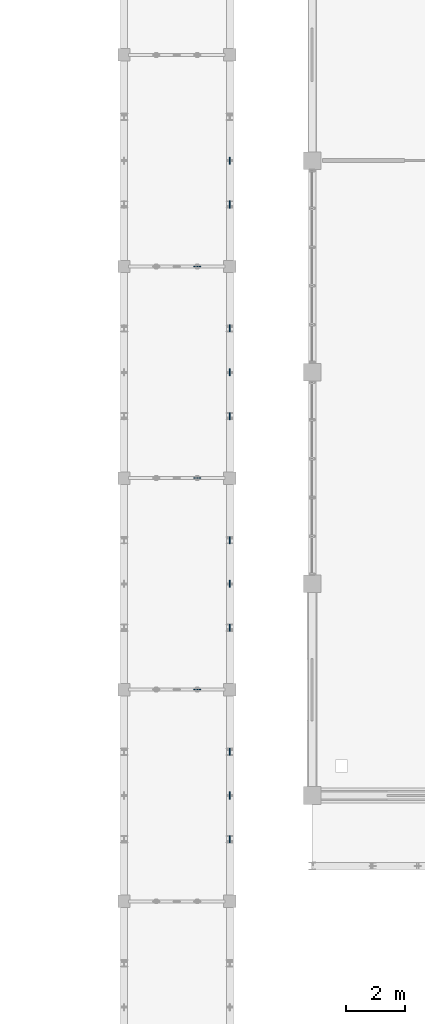
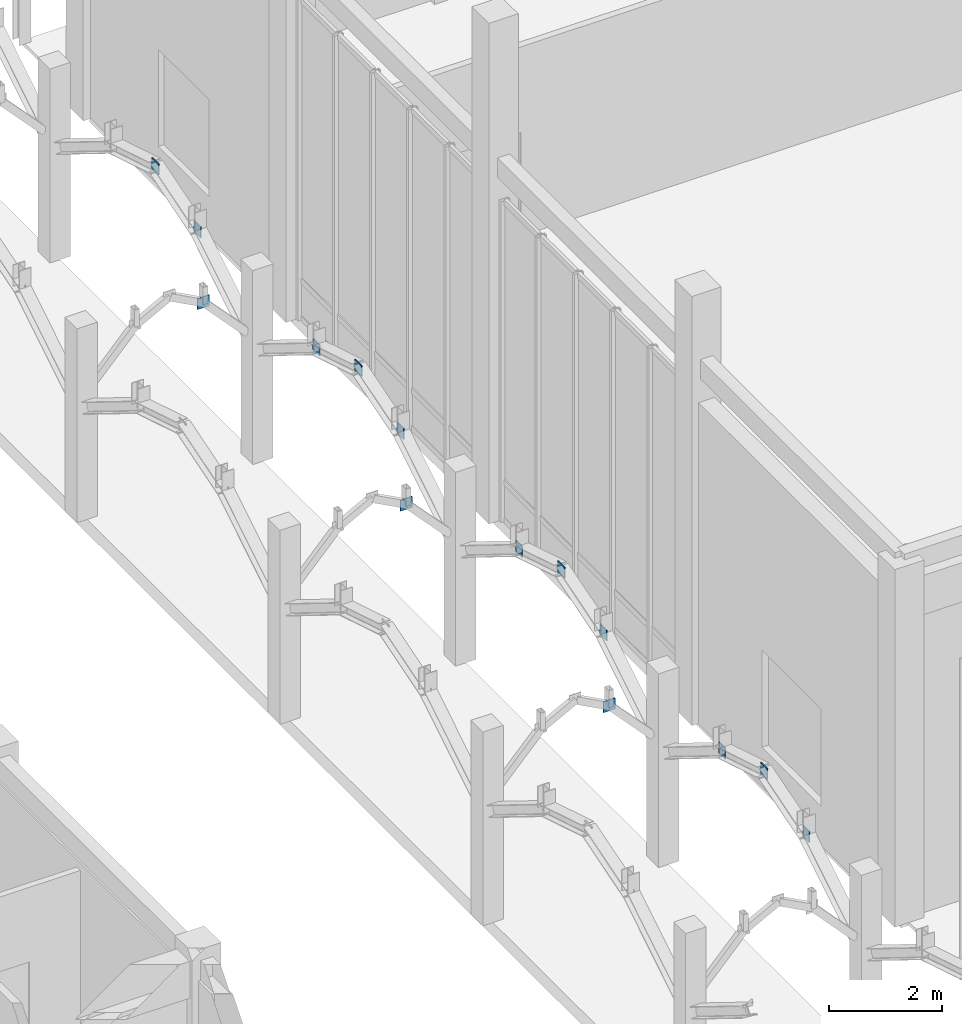
# One storey, part 80 of 138: 14 plates.
"""IFC4 building model written with IfcOpenShell, lengths in metres."""

import ifcopenshell
import ifcopenshell.guid

model = None  # the IFC model being written
_history = None  # IfcOwnerHistory: only IFC2X3 demands one
_inside = {}  # id of a spatial element -> (the spatial element, [elements in it])
_under = {}  # id of a project, library or spatial element -> (it, [spatial elements below it])
_declared = {}  # id of a project -> (the project, [libraries it declares])
_typed = {}  # id of a type object -> (the type object, [elements of that type])
_made_of = {}  # id of a material, layer set ... -> (it, [elements and type objects made of it])


def new_model(schema):
    """Start an empty IFC model of exactly this schema.

    Asked for "IFC4X3", IfcOpenShell would pick the latest addendum, in which some entities
    have other attributes; the version numbers below select the first issue.
    IFC2X3 requires an IfcOwnerHistory on every rooted entity: one is made here for all.
    """
    global model, _history
    if schema == "IFC4X3":
        model = ifcopenshell.file(schema_version=(4, 3, 0, 0))
    else:
        model = ifcopenshell.file(schema=schema)
    _inside.clear()
    _under.clear()
    _declared.clear()
    _typed.clear()
    _made_of.clear()
    _history = None
    if model.schema == "IFC2X3":
        org = make("IfcOrganization", Name="unknown")
        user = make(
            "IfcPersonAndOrganization",
            ThePerson=make("IfcPerson", FamilyName="unknown"),
            TheOrganization=org,
        )
        app = make(
            "IfcApplication",
            ApplicationDeveloper=org,
            Version="unknown",
            ApplicationFullName="unknown",
            ApplicationIdentifier="unknown",
        )
        _history = make(
            "IfcOwnerHistory",
            OwningUser=user,
            OwningApplication=app,
            ChangeAction="ADDED",
            CreationDate=0,
        )
    return model


def make(cls, **values):
    """One entity of the class cls with the attributes given. An attribute that is None is left unset."""
    return model.create_entity(
        cls, **{name: value for name, value in values.items() if value is not None}
    )


def rooted(cls, **values):
    """An entity with a GlobalId (a new one), such as an element, a storey or a relation."""
    return make(cls, GlobalId=ifcopenshell.guid.new(), OwnerHistory=_history, **values)


def si_unit(unit_type, name, prefix=None):
    """IfcSIUnit, for example si_unit("LENGTHUNIT", "METRE", prefix="MILLI")."""
    return make("IfcSIUnit", UnitType=unit_type, Prefix=prefix, Name=name)


def assignment(units):
    """IfcUnitAssignment: the units of a project."""
    return None if units is None else make("IfcUnitAssignment", Units=units)


def point(xyz):
    """IfcCartesianPoint."""
    return None if xyz is None else make("IfcCartesianPoint", Coordinates=xyz)


def direction(xyz):
    """IfcDirection."""
    return None if xyz is None else make("IfcDirection", DirectionRatios=xyz)


def frame(location, z_axis=None, x_axis=None):
    """IfcAxis2Placement3D, a coordinate frame: its origin and axes. An axis left out is left unset."""
    return make(
        "IfcAxis2Placement3D",
        Location=point(location),
        Axis=direction(z_axis),
        RefDirection=direction(x_axis),
    )


def frame_2d(location, x_axis=None):
    """IfcAxis2Placement2D, a coordinate frame in the plane: its origin and x axis."""
    return make(
        "IfcAxis2Placement2D", Location=point(location), RefDirection=direction(x_axis)
    )


def origin():
    """The frame at (0, 0, 0) with its axes left unset."""
    return frame((0.0, 0.0, 0.0))


def origin_2d():
    """The frame at (0, 0) in the plane with its x axis left unset."""
    return frame_2d((0.0, 0.0))


def place(relative_to, where):
    """IfcLocalPlacement: puts the frame where relative to a parent placement (None: the world)."""
    return make(
        "IfcLocalPlacement", PlacementRelTo=relative_to, RelativePlacement=where
    )


def context(
    kind, dimensions, precision=None, world=None, true_north=None, identifier=None
):
    """IfcGeometricRepresentationContext, for example the 3D "Model" context."""
    return make(
        "IfcGeometricRepresentationContext",
        ContextIdentifier=identifier,
        ContextType=kind,
        CoordinateSpaceDimension=dimensions,
        Precision=precision,
        WorldCoordinateSystem=world,
        TrueNorth=true_north,
    )


def subcontext(parent, identifier, kind, view, scale=None):
    """IfcGeometricRepresentationSubContext, for example "Body" below "Model"."""
    return make(
        "IfcGeometricRepresentationSubContext",
        ContextIdentifier=identifier,
        ContextType=kind,
        ParentContext=parent,
        TargetScale=scale,
        TargetView=view,
    )


def project(units=None, contexts=None):
    """IfcProject with its units and contexts."""
    return rooted(
        "IfcProject",
        Name="project",
        RepresentationContexts=contexts,
        UnitsInContext=assignment(units),
    )


def spatial(cls, under=None, at=None, **own):
    """A site, building, storey or space (cls), placed at a placement, below another one or the project."""
    s = rooted(cls, ObjectPlacement=at, **own)
    if under is not None:
        _under.setdefault(under.id(), (under, []))[1].append(s)
    return s


def profile(cls, at=None, kind="AREA", **sizes):
    """A parametric profile (cls). Its sizes go by their IFC names, for example OverallWidth=200.0."""
    return make(cls, ProfileType=kind, Position=at, **sizes)


def rectangle(**sizes):
    """IfcRectangleProfileDef."""
    return profile("IfcRectangleProfileDef", **sizes)


def extrude(swept, where, along, depth):
    """IfcExtrudedAreaSolid: the profile swept, set in the frame where, extruded along a direction by depth."""
    return make(
        "IfcExtrudedAreaSolid",
        SweptArea=swept,
        Position=where,
        ExtrudedDirection=direction(along),
        Depth=depth,
    )


def shape(context_of_items, identifier, shape_type, items):
    """IfcShapeRepresentation: the items that make up one representation, for example the "Body"."""
    return make(
        "IfcShapeRepresentation",
        ContextOfItems=context_of_items,
        RepresentationIdentifier=identifier,
        RepresentationType=shape_type,
        Items=items,
    )


def material(Name=None, Category=None):
    """IfcMaterial."""
    return make("IfcMaterial", Name=Name, Category=Category)


def layer(
    of_material, thickness, ventilated=None, Name=None, Category=None, Priority=None
):
    """IfcMaterialLayer: one layer of a wall or slab, of a material (None: an air gap)."""
    return make(
        "IfcMaterialLayer",
        Material=of_material,
        LayerThickness=thickness,
        IsVentilated=ventilated,
        Name=Name,
        Category=Category,
        Priority=Priority,
    )


def layer_set(layers, Name=None):
    """IfcMaterialLayerSet."""
    return make("IfcMaterialLayerSet", MaterialLayers=layers, LayerSetName=Name)


def made_of(thing, what):
    """Note that an element or type object is made of a material, layer set ...; save() writes the relation."""
    if what is not None:
        _made_of.setdefault(what.id(), (what, []))[1].append(thing)
    return thing


def type_object(cls, material=None, **own):
    """A type object (cls), such as IfcWallType, which elements share."""
    return made_of(rooted(cls, **own), material)


def element(
    cls,
    number,
    at=None,
    inside=None,
    cuts=None,
    type_object=None,
    material=None,
    context=None,
    identifier="Body",
    shape_type=None,
    held_by="IfcProductDefinitionShape",
    body=None,
    shapes=None,
    **own,
):
    """One element of the class cls, such as IfcWall. Its Tag is "e" and its number.

    at: its placement. inside: the storey or other place that contains it. cuts: it is an
    opening in that element (IfcRelVoidsElement). A single representation is given by context,
    identifier, shape_type and body (its items); several are given by shapes. held_by: the class
    of the entity that holds the representations. save() writes the other relations.
    """
    e = rooted(cls, Tag="e%d" % number, ObjectPlacement=at, **own)
    if body is not None:
        shapes = [shape(context, identifier, shape_type, body)]
    if shapes is not None:
        e.Representation = make(held_by, Representations=shapes)
    if inside is not None:
        _inside.setdefault(inside.id(), (inside, []))[1].append(e)
    if cuts is not None:
        rooted(
            "IfcRelVoidsElement", RelatingBuildingElement=cuts, RelatedOpeningElement=e
        )
    if type_object is not None:
        _typed.setdefault(type_object.id(), (type_object, []))[1].append(e)
    return made_of(e, material)


def aggregate(whole, parts):
    """IfcRelAggregates: a whole, such as a stair, and the parts it consists of."""
    return rooted("IfcRelAggregates", RelatingObject=whole, RelatedObjects=parts)


def save(model, path):
    """Write the relations noted so far, then the file.

    IfcRelAggregates (storeys below a building ...), IfcRelContainedInSpatialStructure (elements
    in a storey), IfcRelDefinesByType, IfcRelAssociatesMaterial and IfcRelDeclares: one each for
    every whole, place, type object, material and project.
    """
    for whole, parts in _under.values():
        aggregate(whole, parts)
    for where, things in _inside.values():
        rooted(
            "IfcRelContainedInSpatialStructure",
            RelatedElements=things,
            RelatingStructure=where,
        )
    for kind, things in _typed.values():
        rooted("IfcRelDefinesByType", RelatedObjects=things, RelatingType=kind)
    for what, things in _made_of.values():
        rooted("IfcRelAssociatesMaterial", RelatedObjects=things, RelatingMaterial=what)
    for by, libraries in _declared.values():
        rooted("IfcRelDeclares", RelatingContext=by, RelatedDefinitions=libraries)
    model.write(path)


model = new_model("IFC4")

# Units and contexts
model_context = context("Model", 3, precision=1e-05, world=origin(), true_north=direction((0.0, 1.0)))
body_context = subcontext(model_context, "Body", "Model", "MODEL_VIEW")
ifc_project = project(units=[si_unit("LENGTHUNIT", "METRE"), si_unit("AREAUNIT", "SQUARE_METRE"), si_unit("VOLUMEUNIT", "CUBIC_METRE"), si_unit("PLANEANGLEUNIT", "RADIAN"), si_unit("MASSUNIT", "GRAM", prefix="KILO"), si_unit("THERMODYNAMICTEMPERATUREUNIT", "KELVIN"), si_unit("POWERUNIT", "WATT")], contexts=[model_context])

# Site, building, storey
site_placement = place(None, origin())
site = spatial("IfcSite", under=ifc_project, at=site_placement, CompositionType="ELEMENT")
building_placement = place(site_placement, origin())
building = spatial("IfcBuilding", under=site, at=building_placement, Name="Tavuni Mirador Residences", CompositionType="ELEMENT")
storey_placement = place(building_placement, origin())
storey = spatial("IfcBuildingStorey", under=building, at=storey_placement, Name="L00", CompositionType="ELEMENT", Elevation=0.0)

# Plates
ifc_material = material(Name="Structural steel S355", Category="steel")
ifc_layer = layer(ifc_material, 0.01806640625, Name="Structural steel S355", Category="steel")
ifc_layer_set = layer_set([ifc_layer], Name="Structural steel S355")
plate_type = type_object("IfcPlateType", Name="PLT-GP05", PredefinedType="USERDEFINED", material=ifc_layer_set)
for number, where, z_axis, x_axis, name in (
    (1, (35.69970703125, 75.60009765625, 3.58740234375), (0.0, 0.0, 1.0), (1.0, 0.0, 0.0), "ARCH-COLO-T-03-GQ2"),
    (2, (35.69970703125, 82.800048828125, 3.58740234375), (0.0, 0.0, 1.0), (1.0, 0.0, 0.0), "ARCH-COLO-T-04-GQ2"),
    (3, (35.69970703125, 90.0, 3.58740234375), (0.0, 0.0, 1.0), (1.0, 0.0, 0.0), "ARCH-COLO-T-05-GQ2"),
):
    element("IfcPlate", number, at=place(storey_placement, frame(where, z_axis=z_axis, x_axis=x_axis)), inside=storey, type_object=plate_type, Name=name, ObjectType="GUSSET PLATE", PredefinedType="USERDEFINED", context=body_context, shape_type="SweptSolid", body=[
        extrude(rectangle(XDim=0.239990234375, YDim=0.02001953125, at=origin_2d()), origin(), (0.0, 0.0, 1.0), 0.239990234375),
    ])
for number, where, z_axis, x_axis, name in (
    (4, (36.800048828125, 70.50830078125, 3.50341796875), (0.0, 0.0, 1.0), (1.0, 0.0, 0.0), "ARCH-COLO-E-02-GQ1"),
    (5, (36.800048828125, 72.0, 3.9599609375), (0.0, 0.0, 1.0), (1.0, 0.0, 0.0), "ARCH-COLO-E-02-GCR"),
    (6, (36.800048828125, 73.49169921875, 3.50341796875), (0.0, 0.0, 1.0), (1.0, 0.0, 0.0), "ARCH-COLO-E-02-GQ2"),
    (7, (36.800048828125, 77.70849609375, 3.50341796875), (0.0, 0.0, 1.0), (1.0, 0.0, 0.0), "ARCH-COLO-E-03-GQ1"),
    (8, (36.800048828125, 79.199951171875, 3.9599609375), (0.0, 0.0, 1.0), (1.0, 0.0, 0.0), "ARCH-COLO-E-03-GCR"),
    (9, (36.800048828125, 80.691650390625, 3.50341796875), (0.0, 0.0, 1.0), (1.0, 0.0, 0.0), "ARCH-COLO-E-03-GQ2"),
    (10, (36.800048828125, 84.908447265625, 3.50341796875), (0.0, 0.0, 1.0), (1.0, 0.0, 0.0), "ARCH-COLO-E-04-GQ1"),
    (11, (36.800048828125, 86.39990234375, 3.9599609375), (0.0, 0.0, 1.0), (1.0, 0.0, 0.0), "ARCH-COLO-E-04-GCR"),
    (12, (36.800048828125, 87.8916015625, 3.50341796875), (0.0, 0.0, 1.0), (1.0, 0.0, 0.0), "ARCH-COLO-E-04-GQ2"),
    (13, (36.800048828125, 92.1083984375, 3.50341796875), (0.0, 0.0, 1.0), (1.0, 0.0, 0.0), "ARCH-COLO-E-05-GQ1"),
    (14, (36.800048828125, 93.60009765625, 3.9599609375), (0.0, 0.0, 1.0), (1.0, 0.0, 0.0), "ARCH-COLO-E-05-GCR"),
):
    element("IfcPlate", number, at=place(storey_placement, frame(where, z_axis=z_axis, x_axis=x_axis)), inside=storey, type_object=plate_type, Name=name, ObjectType="GUSSET PLATE", PredefinedType="USERDEFINED", context=body_context, shape_type="SweptSolid", body=[
        extrude(rectangle(XDim=0.02001953125, YDim=0.239990234375, at=origin_2d()), origin(), (0.0, 0.0, 1.0), 0.239990234375),
    ])

save(model, "model.ifc")
